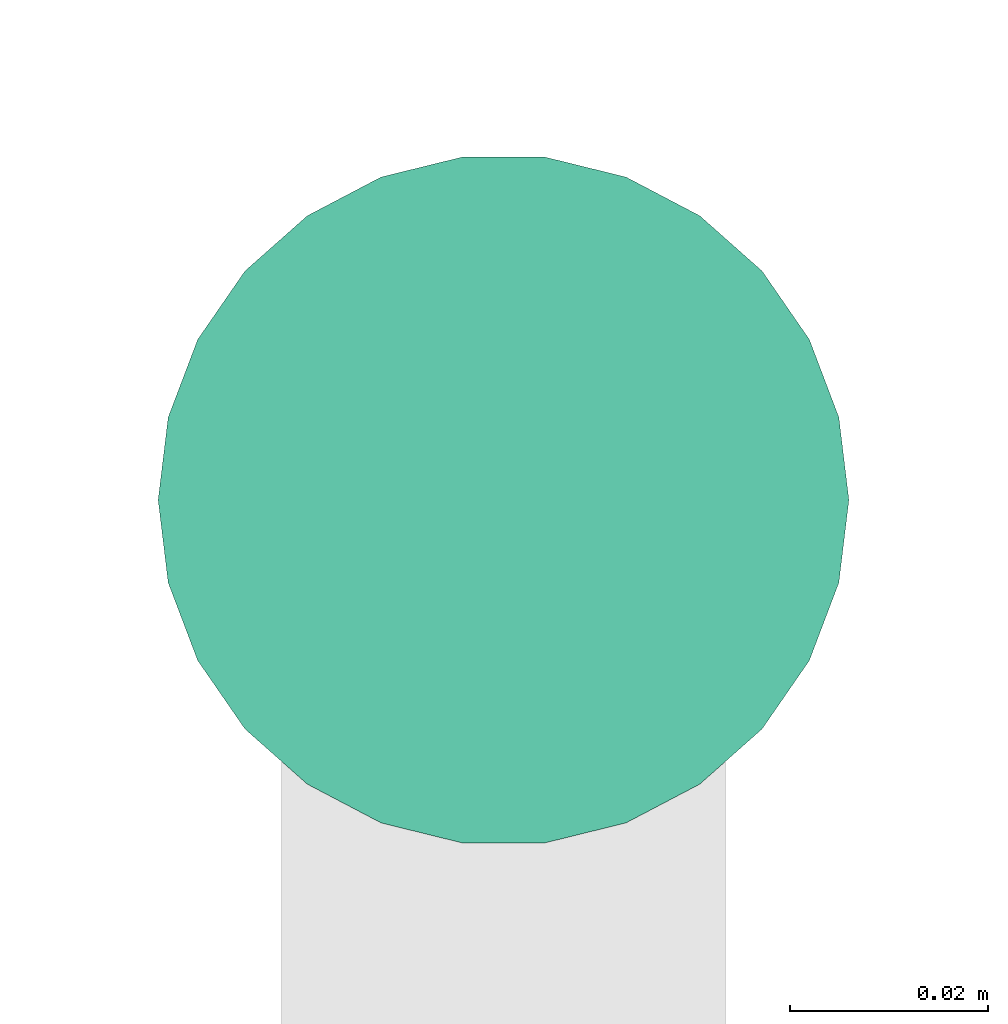
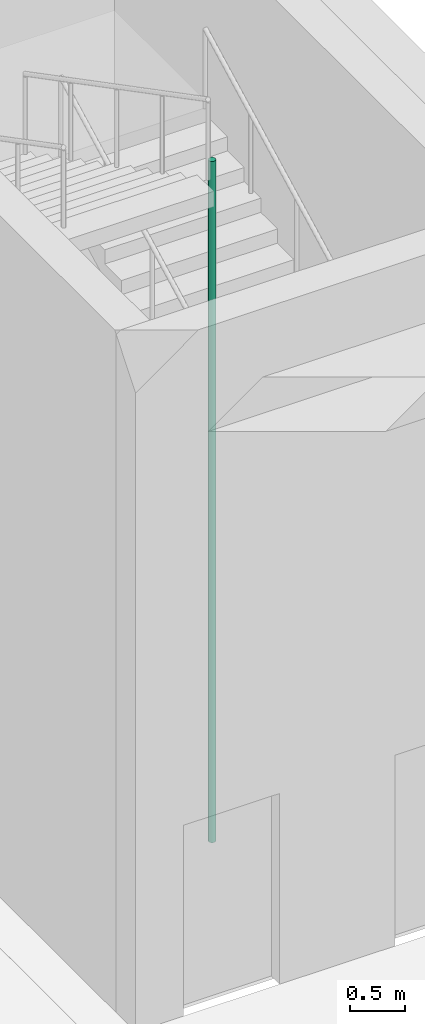
# One storey, part 28 of 36: 1 pipe segment.
"""IFC4 building model written with IfcOpenShell, lengths in metres."""

from ifc_helpers import new_model, si_unit, direction, frame, origin, origin_2d, place, context, subcontext, project, spatial, circle, extrude, element, save


model = new_model("IFC4")

# Units and contexts
model_context = context("Model", 3, precision=1e-05, world=origin(), true_north=direction((0.0, 1.0)))
body_context = subcontext(model_context, "Body", "Model", "MODEL_VIEW")
ifc_project = project(units=[si_unit("LENGTHUNIT", "METRE"), si_unit("AREAUNIT", "SQUARE_METRE"), si_unit("VOLUMEUNIT", "CUBIC_METRE"), si_unit("PLANEANGLEUNIT", "RADIAN"), si_unit("MASSUNIT", "GRAM", prefix="KILO")], contexts=[model_context])

# Site, building, storey
site_placement = place(None, origin())
site = spatial("IfcSite", under=ifc_project, at=site_placement, CompositionType="ELEMENT")
building_placement = place(site_placement, origin())
building = spatial("IfcBuilding", under=site, at=building_placement, Name="Nzadi Deep Aquarium and Research Tower", CompositionType="ELEMENT")
storey_placement = place(building_placement, frame((0.0, 0.0, 14.199951171875)))
storey = spatial("IfcBuildingStorey", under=building, at=storey_placement, Name="L02", CompositionType="ELEMENT", Elevation=14.199951171875)

# Pipe segment
pipe_segment_placement = place(storey_placement, frame((55.300048828125, 68.9599609375, 0.0), z_axis=(0.0, 0.0, 1.0), x_axis=(1.0, 0.0, 0.0)))
element("IfcPipeSegment", 1, at=pipe_segment_placement, inside=storey, Name="Dry riser ST-Z2-E L02", PredefinedType="RIGIDSEGMENT", context=body_context, shape_type="SweptSolid", body=[
    extrude(circle(Radius=0.034912109375, at=origin_2d()), origin(), (0.0, 0.0, 1.0), 7.5),
])

save(model, "model.ifc")
